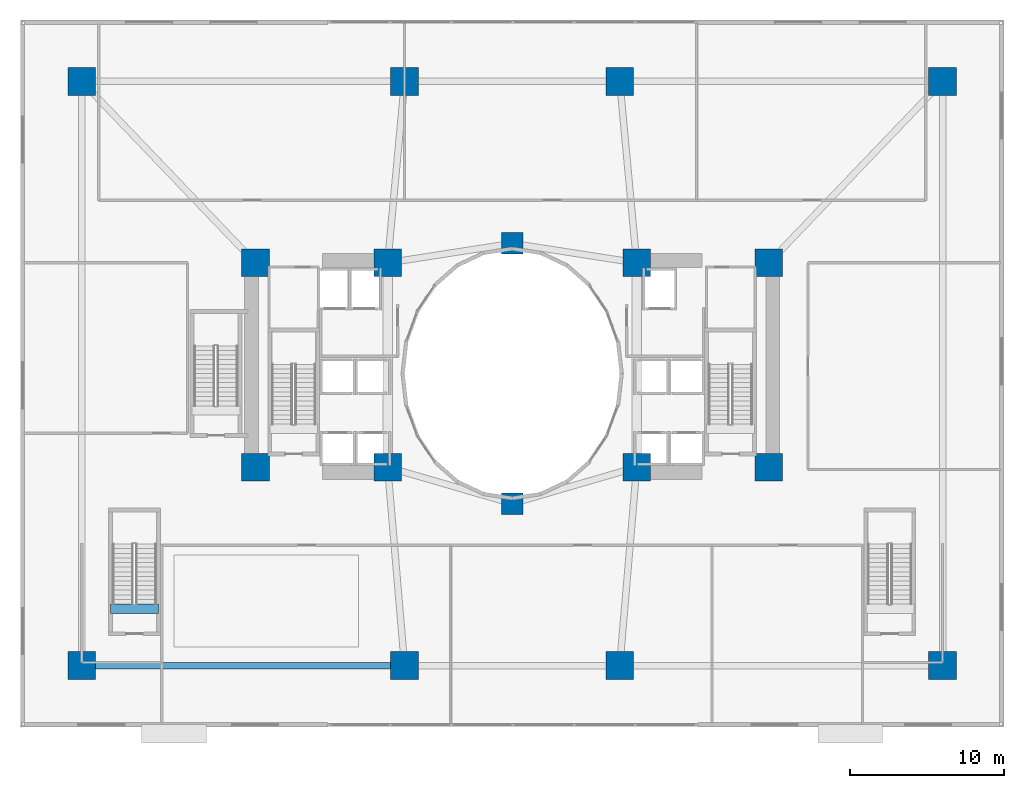
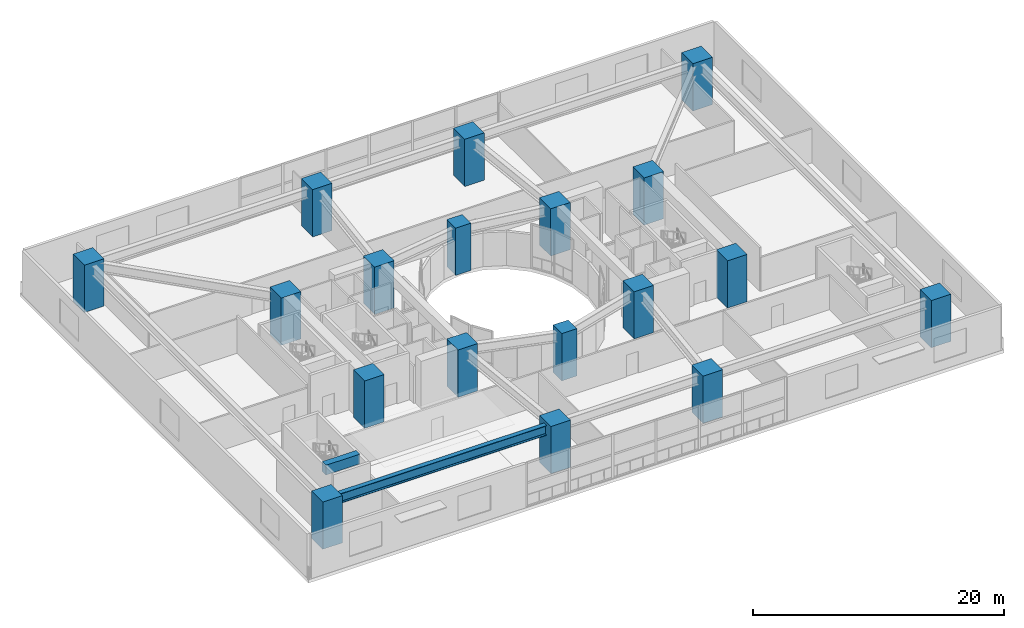
# One storey, part 1 of 25: 18 columns, 2 beams.
"""IFC4 building model written with IfcOpenShell, lengths in metres."""

import ifcopenshell
import ifcopenshell.guid

model = None  # the IFC model being written
_history = None  # IfcOwnerHistory: only IFC2X3 demands one
_inside = {}  # id of a spatial element -> (the spatial element, [elements in it])
_under = {}  # id of a project, library or spatial element -> (it, [spatial elements below it])
_declared = {}  # id of a project -> (the project, [libraries it declares])
_typed = {}  # id of a type object -> (the type object, [elements of that type])
_made_of = {}  # id of a material, layer set ... -> (it, [elements and type objects made of it])


def new_model(schema):
    """Start an empty IFC model of exactly this schema.

    Asked for "IFC4X3", IfcOpenShell would pick the latest addendum, in which some entities
    have other attributes; the version numbers below select the first issue.
    IFC2X3 requires an IfcOwnerHistory on every rooted entity: one is made here for all.
    """
    global model, _history
    if schema == "IFC4X3":
        model = ifcopenshell.file(schema_version=(4, 3, 0, 0))
    else:
        model = ifcopenshell.file(schema=schema)
    _inside.clear()
    _under.clear()
    _declared.clear()
    _typed.clear()
    _made_of.clear()
    _history = None
    if model.schema == "IFC2X3":
        org = make("IfcOrganization", Name="unknown")
        user = make(
            "IfcPersonAndOrganization",
            ThePerson=make("IfcPerson", FamilyName="unknown"),
            TheOrganization=org,
        )
        app = make(
            "IfcApplication",
            ApplicationDeveloper=org,
            Version="unknown",
            ApplicationFullName="unknown",
            ApplicationIdentifier="unknown",
        )
        _history = make(
            "IfcOwnerHistory",
            OwningUser=user,
            OwningApplication=app,
            ChangeAction="ADDED",
            CreationDate=0,
        )
    return model


def make(cls, **values):
    """One entity of the class cls with the attributes given. An attribute that is None is left unset."""
    return model.create_entity(
        cls, **{name: value for name, value in values.items() if value is not None}
    )


def rooted(cls, **values):
    """An entity with a GlobalId (a new one), such as an element, a storey or a relation."""
    return make(cls, GlobalId=ifcopenshell.guid.new(), OwnerHistory=_history, **values)


def si_unit(unit_type, name, prefix=None):
    """IfcSIUnit, for example si_unit("LENGTHUNIT", "METRE", prefix="MILLI")."""
    return make("IfcSIUnit", UnitType=unit_type, Prefix=prefix, Name=name)


def assignment(units):
    """IfcUnitAssignment: the units of a project."""
    return None if units is None else make("IfcUnitAssignment", Units=units)


def point(xyz):
    """IfcCartesianPoint."""
    return None if xyz is None else make("IfcCartesianPoint", Coordinates=xyz)


def direction(xyz):
    """IfcDirection."""
    return None if xyz is None else make("IfcDirection", DirectionRatios=xyz)


def frame(location, z_axis=None, x_axis=None):
    """IfcAxis2Placement3D, a coordinate frame: its origin and axes. An axis left out is left unset."""
    return make(
        "IfcAxis2Placement3D",
        Location=point(location),
        Axis=direction(z_axis),
        RefDirection=direction(x_axis),
    )


def frame_2d(location, x_axis=None):
    """IfcAxis2Placement2D, a coordinate frame in the plane: its origin and x axis."""
    return make(
        "IfcAxis2Placement2D", Location=point(location), RefDirection=direction(x_axis)
    )


def origin():
    """The frame at (0, 0, 0) with its axes left unset."""
    return frame((0.0, 0.0, 0.0))


def origin_2d():
    """The frame at (0, 0) in the plane with its x axis left unset."""
    return frame_2d((0.0, 0.0))


def place(relative_to, where):
    """IfcLocalPlacement: puts the frame where relative to a parent placement (None: the world)."""
    return make(
        "IfcLocalPlacement", PlacementRelTo=relative_to, RelativePlacement=where
    )


def context(
    kind, dimensions, precision=None, world=None, true_north=None, identifier=None
):
    """IfcGeometricRepresentationContext, for example the 3D "Model" context."""
    return make(
        "IfcGeometricRepresentationContext",
        ContextIdentifier=identifier,
        ContextType=kind,
        CoordinateSpaceDimension=dimensions,
        Precision=precision,
        WorldCoordinateSystem=world,
        TrueNorth=true_north,
    )


def subcontext(parent, identifier, kind, view, scale=None):
    """IfcGeometricRepresentationSubContext, for example "Body" below "Model"."""
    return make(
        "IfcGeometricRepresentationSubContext",
        ContextIdentifier=identifier,
        ContextType=kind,
        ParentContext=parent,
        TargetScale=scale,
        TargetView=view,
    )


def project(units=None, contexts=None):
    """IfcProject with its units and contexts."""
    return rooted(
        "IfcProject",
        Name="project",
        RepresentationContexts=contexts,
        UnitsInContext=assignment(units),
    )


def spatial(cls, under=None, at=None, **own):
    """A site, building, storey or space (cls), placed at a placement, below another one or the project."""
    s = rooted(cls, ObjectPlacement=at, **own)
    if under is not None:
        _under.setdefault(under.id(), (under, []))[1].append(s)
    return s


def profile(cls, at=None, kind="AREA", **sizes):
    """A parametric profile (cls). Its sizes go by their IFC names, for example OverallWidth=200.0."""
    return make(cls, ProfileType=kind, Position=at, **sizes)


def rectangle(**sizes):
    """IfcRectangleProfileDef."""
    return profile("IfcRectangleProfileDef", **sizes)


def i_section(**sizes):
    """IfcIShapeProfileDef."""
    return profile("IfcIShapeProfileDef", **sizes)


def extrude(swept, where, along, depth):
    """IfcExtrudedAreaSolid: the profile swept, set in the frame where, extruded along a direction by depth."""
    return make(
        "IfcExtrudedAreaSolid",
        SweptArea=swept,
        Position=where,
        ExtrudedDirection=direction(along),
        Depth=depth,
    )


def shape(context_of_items, identifier, shape_type, items):
    """IfcShapeRepresentation: the items that make up one representation, for example the "Body"."""
    return make(
        "IfcShapeRepresentation",
        ContextOfItems=context_of_items,
        RepresentationIdentifier=identifier,
        RepresentationType=shape_type,
        Items=items,
    )


def material(Name=None, Category=None):
    """IfcMaterial."""
    return make("IfcMaterial", Name=Name, Category=Category)


def material_profile(
    of_material, cross_section, Name=None, Category=None, Priority=None
):
    """IfcMaterialProfile: a cross section and its material."""
    return make(
        "IfcMaterialProfile",
        Name=Name,
        Material=of_material,
        Profile=cross_section,
        Priority=Priority,
        Category=Category,
    )


def profile_set(profiles, Name=None, composite=None):
    """IfcMaterialProfileSet."""
    return make(
        "IfcMaterialProfileSet",
        Name=Name,
        MaterialProfiles=profiles,
        CompositeProfile=composite,
    )


def made_of(thing, what):
    """Note that an element or type object is made of a material, layer set ...; save() writes the relation."""
    if what is not None:
        _made_of.setdefault(what.id(), (what, []))[1].append(thing)
    return thing


def type_object(cls, material=None, **own):
    """A type object (cls), such as IfcWallType, which elements share."""
    return made_of(rooted(cls, **own), material)


def element(
    cls,
    number,
    at=None,
    inside=None,
    cuts=None,
    type_object=None,
    material=None,
    context=None,
    identifier="Body",
    shape_type=None,
    held_by="IfcProductDefinitionShape",
    body=None,
    shapes=None,
    **own,
):
    """One element of the class cls, such as IfcWall. Its Tag is "e" and its number.

    at: its placement. inside: the storey or other place that contains it. cuts: it is an
    opening in that element (IfcRelVoidsElement). A single representation is given by context,
    identifier, shape_type and body (its items); several are given by shapes. held_by: the class
    of the entity that holds the representations. save() writes the other relations.
    """
    e = rooted(cls, Tag="e%d" % number, ObjectPlacement=at, **own)
    if body is not None:
        shapes = [shape(context, identifier, shape_type, body)]
    if shapes is not None:
        e.Representation = make(held_by, Representations=shapes)
    if inside is not None:
        _inside.setdefault(inside.id(), (inside, []))[1].append(e)
    if cuts is not None:
        rooted(
            "IfcRelVoidsElement", RelatingBuildingElement=cuts, RelatedOpeningElement=e
        )
    if type_object is not None:
        _typed.setdefault(type_object.id(), (type_object, []))[1].append(e)
    return made_of(e, material)


def aggregate(whole, parts):
    """IfcRelAggregates: a whole, such as a stair, and the parts it consists of."""
    return rooted("IfcRelAggregates", RelatingObject=whole, RelatedObjects=parts)


def save(model, path):
    """Write the relations noted so far, then the file.

    IfcRelAggregates (storeys below a building ...), IfcRelContainedInSpatialStructure (elements
    in a storey), IfcRelDefinesByType, IfcRelAssociatesMaterial and IfcRelDeclares: one each for
    every whole, place, type object, material and project.
    """
    for whole, parts in _under.values():
        aggregate(whole, parts)
    for where, things in _inside.values():
        rooted(
            "IfcRelContainedInSpatialStructure",
            RelatedElements=things,
            RelatingStructure=where,
        )
    for kind, things in _typed.values():
        rooted("IfcRelDefinesByType", RelatedObjects=things, RelatingType=kind)
    for what, things in _made_of.values():
        rooted("IfcRelAssociatesMaterial", RelatedObjects=things, RelatingMaterial=what)
    for by, libraries in _declared.values():
        rooted("IfcRelDeclares", RelatingContext=by, RelatedDefinitions=libraries)
    model.write(path)


model = new_model("IFC4")

# Units and contexts
model_context = context("Model", 3, precision=1e-05, world=origin(), true_north=direction((0.0, 1.0)))
body_context = subcontext(model_context, "Body", "Model", "MODEL_VIEW")
ifc_project = project(units=[si_unit("LENGTHUNIT", "METRE"), si_unit("AREAUNIT", "SQUARE_METRE"), si_unit("VOLUMEUNIT", "CUBIC_METRE"), si_unit("PLANEANGLEUNIT", "RADIAN"), si_unit("MASSUNIT", "GRAM", prefix="KILO")], contexts=[model_context])

# Site, building, storey
site_placement = place(None, origin())
site = spatial("IfcSite", under=ifc_project, at=site_placement, CompositionType="ELEMENT")
building_placement = place(site_placement, origin())
building = spatial("IfcBuilding", under=site, at=building_placement, Name="Solvane Sanctuary Tower", CompositionType="ELEMENT")
storey_placement = place(building_placement, frame((0.0, 0.0, 13.800048828125)))
storey = spatial("IfcBuildingStorey", under=building, at=storey_placement, Name="L04", CompositionType="ELEMENT", Elevation=13.800048828125)

# Columns
ifc_material_1 = material(Name="Concrete C70/85", Category="concrete")
ifc_material_profile_1 = material_profile(ifc_material_1, rectangle(XDim=1.800048828125, YDim=1.800048828125, at=origin_2d()), Name="RC1800X1800")
ifc_profile_set_1 = profile_set([ifc_material_profile_1], Name="Concrete C70/85")
column_type_1 = type_object("IfcColumnType", Name="Column C-MEGA RC1800X1800", PredefinedType="COLUMN", material=ifc_profile_set_1)
for number, where, z_axis, x_axis, name in (
    (1, (15.300048828125, 16.89990234375, 0.0), (0.0, 0.0, 1.0), (1.0, 0.0, 0.0), "L04 Core Corner Column CW1"),
    (2, (23.89990234375, 16.89990234375, 0.0), (0.0, 0.0, 1.0), (1.0, 0.0, 0.0), "L04 Core Corner Column CW2"),
    (3, (23.89990234375, 30.199951171875, 0.0), (0.0, 0.0, 1.0), (1.0, 0.0, 0.0), "L04 Core Corner Column CW3"),
    (4, (15.300048828125, 30.199951171875, 0.0), (0.0, 0.0, 1.0), (1.0, 0.0, 0.0), "L04 Core Corner Column CW4"),
    (5, (40.10009765625, 16.89990234375, 0.0), (0.0, 0.0, 1.0), (1.0, 0.0, 0.0), "L04 Core Corner Column CE1"),
    (6, (48.699951171875, 16.89990234375, 0.0), (0.0, 0.0, 1.0), (1.0, 0.0, 0.0), "L04 Core Corner Column CE2"),
    (7, (48.699951171875, 30.199951171875, 0.0), (0.0, 0.0, 1.0), (1.0, 0.0, 0.0), "L04 Core Corner Column CE3"),
    (8, (40.10009765625, 30.199951171875, 0.0), (0.0, 0.0, 1.0), (1.0, 0.0, 0.0), "L04 Core Corner Column CE4"),
    (9, (4.0, 4.0, 0.0), (0.0, 0.0, 1.0), (1.0, 0.0, 0.0), "L04 Podium Mega-Column MC1"),
    (10, (25.0, 4.0, 0.0), (0.0, 0.0, 1.0), (1.0, 0.0, 0.0), "L04 Podium Mega-Column MC2"),
    (11, (39.0, 4.0, 0.0), (0.0, 0.0, 1.0), (1.0, 0.0, 0.0), "L04 Podium Mega-Column MC3"),
    (12, (60.0, 4.0, 0.0), (0.0, 0.0, 1.0), (1.0, 0.0, 0.0), "L04 Podium Mega-Column MC4"),
    (13, (60.0, 42.0, 0.0), (0.0, 0.0, 1.0), (1.0, 0.0, 0.0), "L04 Podium Mega-Column MC5"),
    (14, (39.0, 42.0, 0.0), (0.0, 0.0, 1.0), (1.0, 0.0, 0.0), "L04 Podium Mega-Column MC6"),
    (15, (25.0, 42.0, 0.0), (0.0, 0.0, 1.0), (1.0, 0.0, 0.0), "L04 Podium Mega-Column MC7"),
    (16, (4.0, 42.0, 0.0), (0.0, 0.0, 1.0), (1.0, 0.0, 0.0), "L04 Podium Mega-Column MC8"),
):
    element("IfcColumn", number, at=place(storey_placement, frame(where, z_axis=z_axis, x_axis=x_axis)), inside=storey, type_object=column_type_1, Name=name, PredefinedType="COLUMN", context=body_context, shape_type="SweptSolid", body=[
        extrude(rectangle(XDim=1.800048828125, YDim=1.800048828125, at=origin_2d()), origin(), (0.0, 0.0, 1.0), 4.599853515625),
    ])
ifc_material_profile_2 = material_profile(ifc_material_1, rectangle(XDim=1.39990234375, YDim=1.39990234375, at=origin_2d()), Name="RC1400X1400")
ifc_profile_set_2 = profile_set([ifc_material_profile_2], Name="Concrete C70/85")
column_type_2 = type_object("IfcColumnType", Name="Column C-POD-INT RC1400X1400", PredefinedType="COLUMN", material=ifc_profile_set_2)
for number, where, z_axis, x_axis, name in (
    (17, (32.0, 14.5400390625, 0.0), (0.0, 0.0, 1.0), (1.0, 0.0, 0.0), "L04 Podium Transfer Spine Column PCS"),
    (18, (32.0, 31.4599609375, 0.0), (0.0, 0.0, 1.0), (1.0, 0.0, 0.0), "L04 Podium Transfer Spine Column PCN"),
):
    element("IfcColumn", number, at=place(storey_placement, frame(where, z_axis=z_axis, x_axis=x_axis)), inside=storey, type_object=column_type_2, Name=name, PredefinedType="COLUMN", context=body_context, shape_type="SweptSolid", body=[
        extrude(rectangle(XDim=1.39990234375, YDim=1.39990234375, at=origin_2d()), origin(), (0.0, 0.0, 1.0), 4.599853515625),
    ])

# Beams
ifc_material_profile_3 = material_profile(ifc_material_1, rectangle(XDim=0.60009765625, YDim=0.949951171875, at=origin_2d()), Name="RC600X950")
ifc_profile_set_3 = profile_set([ifc_material_profile_3], Name="Concrete C70/85")
beam_type_1 = type_object("IfcBeamType", Name="Beam B-COUPLE RC600X950", PredefinedType="LINTEL", material=ifc_profile_set_3)
beam_1_placement = place(storey_placement, frame((5.8701171875, 7.69921875, 4.125), z_axis=(1.0, 0.0, 0.0), x_axis=(0.0, 1.0, 0.0)))
element("IfcBeam", 19, at=beam_1_placement, inside=storey, type_object=beam_type_1, Name="L04 ST-4 Stair Floor Landing Trimmer", PredefinedType="LINTEL", context=body_context, shape_type="SweptSolid", body=[
    extrude(rectangle(XDim=0.60009765625, YDim=0.949951171875, at=origin_2d()), origin(), (0.0, 0.0, 1.0), 3.119873046875),
])
ifc_material_2 = material(Name="Steel ASTM A913 Grade 65", Category="steel")
ifc_material_profile_4 = material_profile(ifc_material_2, i_section(OverallWidth=0.423095703125, OverallDepth=0.947998046875, WebThickness=0.02392578125, FlangeThickness=0.042724609375, FilletRadius=0.02392578125, at=origin_2d()), Name="W36X302")
ifc_profile_set_4 = profile_set([ifc_material_profile_4], Name="Steel ASTM A913 Grade 65")
beam_type_2 = type_object("IfcBeamType", Name="Beam B-POD-GIRD W36X302", PredefinedType="BEAM", material=ifc_profile_set_4)
beam_2_placement = place(storey_placement, frame((4.35009765625, 4.0, 3.803955078125), z_axis=(1.0, 0.0, 0.0), x_axis=(0.0, 1.0, 0.0)))
element("IfcBeam", 20, at=beam_2_placement, inside=storey, type_object=beam_type_2, Name="L04 Podium Primary Girder PG1", PredefinedType="BEAM", context=body_context, shape_type="SweptSolid", body=[
    extrude(i_section(OverallWidth=0.423095703125, OverallDepth=0.947998046875, WebThickness=0.02392578125, FlangeThickness=0.042724609375, FilletRadius=0.02392578125, at=origin_2d()), origin(), (0.0, 0.0, 1.0), 20.2998046875),
])

save(model, "model.ifc")
